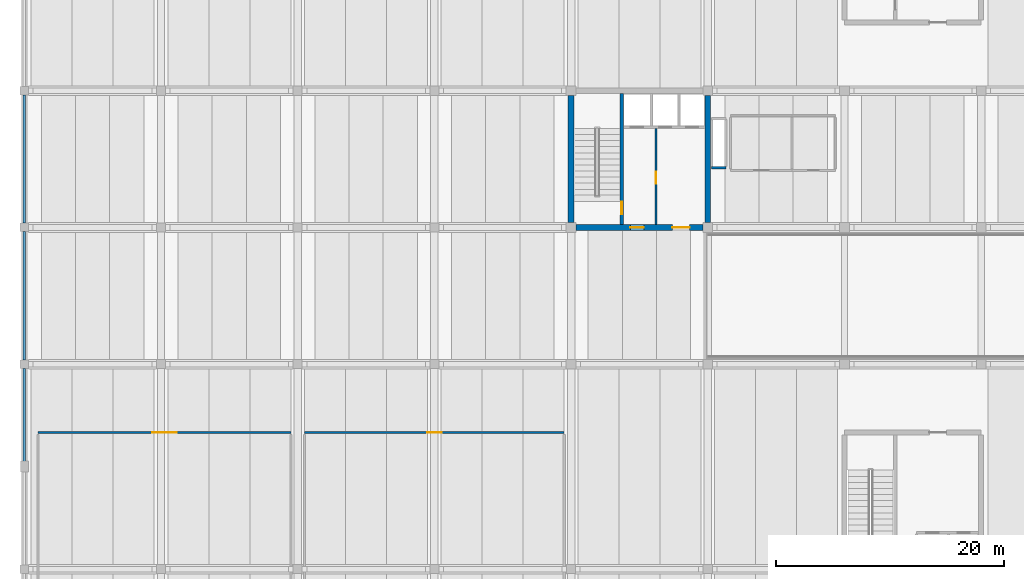
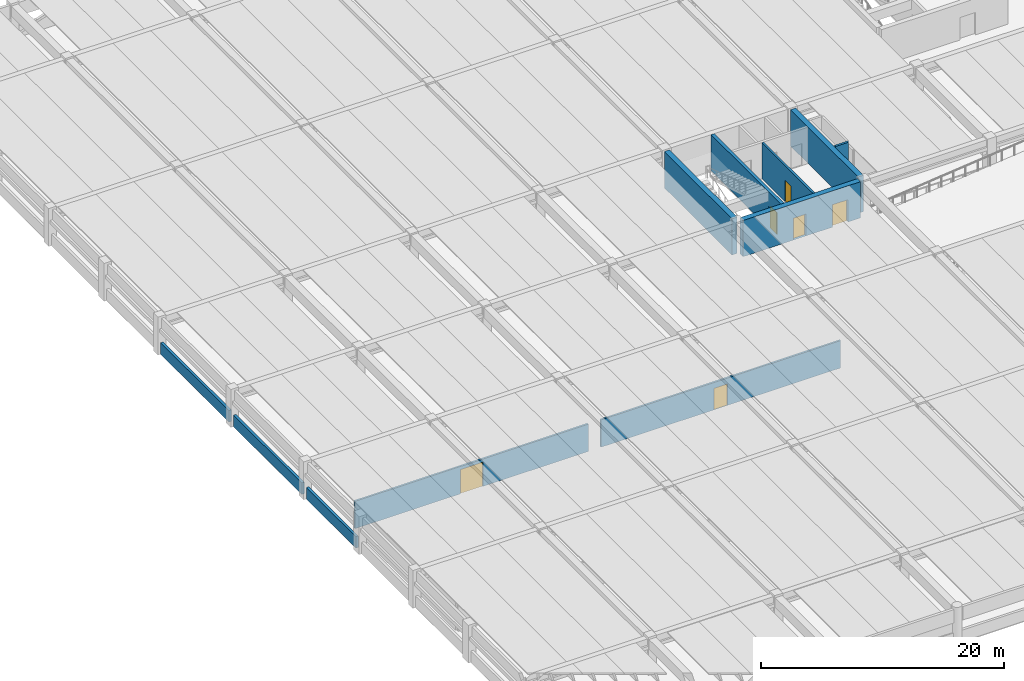
# One storey, part 8 of 21: 11 walls, 6 doors, 6 openings.
"""IFC4 building model written with IfcOpenShell, lengths in metres."""

from ifc_helpers import new_model, si_unit, direction, frame, frame_2d, origin, place, context, subcontext, project, spatial, rectangle, extrude, material, layer, layer_set, type_object, element, fill, save


model = new_model("IFC4")

# Units and contexts
model_context = context("Model", 3, precision=1e-05, world=origin(), true_north=direction((0.0, 1.0)))
body_context = subcontext(model_context, "Body", "Model", "MODEL_VIEW")
ifc_project = project(units=[si_unit("LENGTHUNIT", "METRE"), si_unit("AREAUNIT", "SQUARE_METRE"), si_unit("VOLUMEUNIT", "CUBIC_METRE"), si_unit("PLANEANGLEUNIT", "RADIAN"), si_unit("MASSUNIT", "GRAM", prefix="KILO")], contexts=[model_context])

# Site, building, storey
site_placement = place(None, origin())
site = spatial("IfcSite", under=ifc_project, at=site_placement, CompositionType="ELEMENT")
building_placement = place(site_placement, origin())
building = spatial("IfcBuilding", under=site, at=building_placement, Name="Girod Span Mobility Hub", CompositionType="ELEMENT")
storey_placement = place(building_placement, frame((0.0, 0.0, 17.199951171875)))
storey = spatial("IfcBuildingStorey", under=building, at=storey_placement, Name="L04", CompositionType="ELEMENT", Elevation=17.199951171875)

# Wall, openings, doors
ifc_material_1 = material(Name="Concrete C40/50", Category="concrete")
ifc_layer_1 = layer(ifc_material_1, 0.5)
ifc_layer_set_1 = layer_set([ifc_layer_1], Name="Concrete C40/50")
wall_type_1 = type_object("IfcWallType", Name="W-CW-500", PredefinedType="SHEAR", material=ifc_layer_set_1)
wall_1_placement = place(storey_placement, frame((48.422119140625, 57.0, 0.0), z_axis=(0.0, 0.0, 1.0), x_axis=(1.0, 0.0, 0.0)))
wall_1 = element("IfcWall", 1, at=wall_1_placement, inside=storey, type_object=wall_type_1, Name="Core C1 Shear Wall S L04", PredefinedType="SHEAR", context=body_context, shape_type="SweptSolid", body=[
    extrude(rectangle(XDim=11.15576171875, YDim=0.5, at=frame_2d((5.577880859375, 0.0))), origin(), (0.0, 0.0, 1.0), 3.64306640625),
])
opening_1_placement = place(wall_1_placement, frame((4.778076171875, 0.0, 0.0)))
opening_1 = element("IfcOpeningElement", 2, at=opening_1_placement, cuts=wall_1, Name="Opening D-FL-C1-L04", PredefinedType="OPENING", context=body_context, shape_type="SweptSolid", body=[
    extrude(rectangle(XDim=1.199951171875, YDim=2.199951171875, at=frame_2d((0.60009765625, 1.10009765625))), frame((0.0, 0.264892578125, 0.0), z_axis=(0.0, -1.0, 0.0), x_axis=(1.0, 0.0, 0.0)), (0.0, 0.0, 1.0), 0.530029296875),
])
opening_2_placement = place(wall_1_placement, frame((8.47802734375, 0.0, 0.0)))
opening_2 = element("IfcOpeningElement", 3, at=opening_2_placement, cuts=wall_1, Name="Opening D-LB-C1-L04", PredefinedType="OPENING", context=body_context, shape_type="SweptSolid", body=[
    extrude(rectangle(XDim=1.5, YDim=2.25, at=frame_2d((0.75, 1.125))), frame((0.0, 0.264892578125, 0.0), z_axis=(0.0, -1.0, 0.0), x_axis=(1.0, 0.0, 0.0)), (0.0, 0.0, 1.0), 0.530029296875),
])
ifc_material_2 = material(Name="Fire-Rated Insulated Hollow Metal Steel", Category="steel")
door_type_1 = type_object("IfcDoorType", Name="DT-FD-03", OperationType="DOUBLE_DOOR_SINGLE_SWING", PredefinedType="DOOR", material=ifc_material_2)
door_1_placement = place(opening_2_placement, origin())
door_1 = element("IfcDoor", 4, at=door_1_placement, inside=storey, type_object=door_type_1, Name="Lift Lobby Entry Door C1 L04", OperationType="DOUBLE_DOOR_SINGLE_SWING", OverallHeight=2.25, OverallWidth=1.5, PredefinedType="DOOR", context=body_context, shape_type="SweptSolid", body=[
    extrude(rectangle(XDim=1.5, YDim=2.25, at=frame_2d((0.75, 1.125))), frame((0.0, 0.02490234375, 0.0), z_axis=(0.0, -1.0, 0.0), x_axis=(1.0, 0.0, 0.0)), (0.0, 0.0, 1.0), 0.050048828125),
])
fill(opening_2, door_1)
ifc_material_3 = material(Name="Fire-Rated Insulated Hollow Metal Steel", Category="steel")
door_type_2 = type_object("IfcDoorType", Name="DT-FD-05", OperationType="NOTDEFINED", PredefinedType="DOOR", material=ifc_material_3)
door_2_placement = place(opening_1_placement, origin())
door_2 = element("IfcDoor", 5, at=door_2_placement, inside=storey, type_object=door_type_2, Name="Firefighting Lobby Entry Door C1 L04", OperationType="SINGLE_SWING_RIGHT", OverallHeight=2.199951171875, OverallWidth=1.199951171875, PredefinedType="DOOR", context=body_context, shape_type="SweptSolid", body=[
    extrude(rectangle(XDim=1.199951171875, YDim=2.199951171875, at=frame_2d((0.60009765625, 1.10009765625))), frame((0.0, 0.02490234375, 0.0), z_axis=(0.0, -1.0, 0.0), x_axis=(1.0, 0.0, 0.0)), (0.0, 0.0, 1.0), 0.050048828125),
])
fill(opening_1, door_2)

# Walls
for number, where, z_axis, x_axis, name in (
    (6, (48.0, 57.422119140625, 0.0), (0.0, 0.0, 1.0), (0.0, 1.0, 0.0), "Core C1 Shear Wall W L04"),
    (7, (60.0, 57.422119140625, 0.0), (0.0, 0.0, 1.0), (0.0, 1.0, 0.0), "Core C1 Shear Wall E L04"),
):
    element("IfcWall", number, at=place(storey_placement, frame(where, z_axis=z_axis, x_axis=x_axis)), inside=storey, type_object=wall_type_1, Name=name, PredefinedType="SHEAR", context=body_context, shape_type="SweptSolid", body=[
        extrude(rectangle(XDim=11.15576171875, YDim=0.5, at=frame_2d((5.577880859375, 0.0))), origin(), (0.0, 0.0, 1.0), 3.64306640625),
    ])

# Wall, opening, door
ifc_material_4 = material(Name="Concrete C40/50", Category="concrete")
ifc_layer_2 = layer(ifc_material_4, 0.18994140625)
ifc_layer_set_2 = layer_set([ifc_layer_2], Name="Concrete C40/50")
wall_type_2 = type_object("IfcWallType", Name="W-FL-190", PredefinedType="SOLIDWALL", material=ifc_layer_set_2)
wall_2_placement = place(storey_placement, frame((55.449951171875, 57.25, 0.0), z_axis=(0.0, 0.0, 1.0), x_axis=(0.0, 1.0, 0.0)))
wall_2 = element("IfcWall", 8, at=wall_2_placement, inside=storey, type_object=wall_type_2, Name="Core C1 Firefighting Lobby Wall L04", PredefinedType="SOLIDWALL", context=body_context, shape_type="SweptSolid", body=[
    extrude(rectangle(XDim=8.429931640625, YDim=0.18994140625, at=frame_2d((4.21484375, 0.0))), origin(), (0.0, 0.0, 1.0), 3.633056640625),
])
opening_3_placement = place(wall_2_placement, frame((3.60009765625, 0.0, 0.0)))
opening_3 = element("IfcOpeningElement", 9, at=opening_3_placement, cuts=wall_2, Name="Opening D-FLX-C1-L04", PredefinedType="OPENING", context=body_context, shape_type="SweptSolid", body=[
    extrude(rectangle(XDim=1.0400390625, YDim=2.179931640625, at=frame_2d((0.52001953125, 1.08984375))), frame((0.0, 0.10986328125, 0.0), z_axis=(0.0, -1.0, 0.0), x_axis=(1.0, 0.0, 0.0)), (0.0, 0.0, 1.0), 0.219970703125),
])
ifc_material_5 = material(Name="Fire-Rated Insulated Hollow Metal Steel", Category="steel")
door_type_3 = type_object("IfcDoorType", Name="DT-FD-02", OperationType="NOTDEFINED", PredefinedType="DOOR", material=ifc_material_5)
door_3_placement = place(opening_3_placement, origin())
door_3 = element("IfcDoor", 10, at=door_3_placement, inside=storey, type_object=door_type_3, Name="Firefighting Lobby Interconnect Door C1 L04", OperationType="SINGLE_SWING_RIGHT", OverallHeight=2.179931640625, OverallWidth=1.0400390625, PredefinedType="DOOR", context=body_context, shape_type="SweptSolid", body=[
    extrude(rectangle(XDim=1.0400390625, YDim=2.179931640625, at=frame_2d((0.52001953125, 1.08984375))), frame((0.0, 0.02490234375, 0.0), z_axis=(0.0, -1.0, 0.0), x_axis=(1.0, 0.0, 0.0)), (0.0, 0.0, 1.0), 0.050048828125),
])
fill(opening_3, door_3)

ifc_material_6 = material(Name="Reinforced Concrete Masonry Block", Category="masonry")
ifc_layer_3 = layer(ifc_material_6, 0.179931640625)
ifc_layer_set_3 = layer_set([ifc_layer_3], Name="Reinforced Concrete Masonry Block")
wall_type_3 = type_object("IfcWallType", Name="W-FP-180", PredefinedType="SOLIDWALL", material=ifc_layer_set_3)
wall_3_placement = place(storey_placement, frame((1.199951171875, 39.0, 0.0), z_axis=(0.0, 0.0, 1.0), x_axis=(1.0, 0.0, 0.0)))
wall_3 = element("IfcWall", 11, at=wall_3_placement, inside=storey, type_object=wall_type_3, Name="Substation Room West Partition N", PredefinedType="SOLIDWALL", context=body_context, shape_type="SweptSolid", body=[
    extrude(rectangle(XDim=22.199951171875, YDim=0.179931640625, at=frame_2d((11.10009765625, 0.0))), origin(), (0.0, 0.0, 1.0), 2.75),
])
opening_4_placement = place(wall_3_placement, frame((10.030029296875, 0.0, 0.0)))
opening_4 = element("IfcOpeningElement", 12, at=opening_4_placement, cuts=wall_3, Name="Opening D-L04-SUB-W", PredefinedType="OPENING", context=body_context, shape_type="SweptSolid", body=[
    extrude(rectangle(XDim=2.139892578125, YDim=2.43994140625, at=frame_2d((1.06982421875, 1.219970703125))), frame((0.0, 0.10498046875, 0.0), z_axis=(0.0, -1.0, 0.0), x_axis=(1.0, 0.0, 0.0)), (0.0, 0.0, 1.0), 0.2099609375),
])
ifc_material_7 = material(Name="Fire-Rated Insulated Hollow Metal Steel", Category="steel")
door_type_4 = type_object("IfcDoorType", Name="DT-FD-12", OperationType="DOUBLE_DOOR_SINGLE_SWING", PredefinedType="DOOR", material=ifc_material_7)
door_4_placement = place(opening_4_placement, origin())
door_4 = element("IfcDoor", 13, at=door_4_placement, inside=storey, type_object=door_type_4, Name="Substation Room West Door", OperationType="DOUBLE_DOOR_SINGLE_SWING", OverallHeight=2.43994140625, OverallWidth=2.139892578125, PredefinedType="DOOR", context=body_context, shape_type="SweptSolid", body=[
    extrude(rectangle(XDim=2.139892578125, YDim=2.43994140625, at=frame_2d((1.06982421875, 1.219970703125))), frame((0.0, 0.02490234375, 0.0), z_axis=(0.0, -1.0, 0.0), x_axis=(1.0, 0.0, 0.0)), (0.0, 0.0, 1.0), 0.050048828125),
])
fill(opening_4, door_4)

wall_4_placement = place(storey_placement, frame((24.60009765625, 39.0, 0.0), z_axis=(0.0, 0.0, 1.0), x_axis=(1.0, 0.0, 0.0)))
wall_4 = element("IfcWall", 14, at=wall_4_placement, inside=storey, type_object=wall_type_3, Name="Switchgear Room Partition N", PredefinedType="SOLIDWALL", context=body_context, shape_type="SweptSolid", body=[
    extrude(rectangle(XDim=22.7998046875, YDim=0.179931640625, at=frame_2d((11.39990234375, 0.0))), origin(), (0.0, 0.0, 1.0), 2.75),
])
opening_5_placement = place(wall_4_placement, frame((10.77001953125, 0.0, 0.0)))
opening_5 = element("IfcOpeningElement", 15, at=opening_5_placement, cuts=wall_4, Name="Opening D-L04-SWG-W", PredefinedType="OPENING", context=body_context, shape_type="SweptSolid", body=[
    extrude(rectangle(XDim=1.260009765625, YDim=2.159912109375, at=frame_2d((0.6298828125, 1.080078125))), frame((0.0, 0.10498046875, 0.0), z_axis=(0.0, -1.0, 0.0), x_axis=(1.0, 0.0, 0.0)), (0.0, 0.0, 1.0), 0.2099609375),
])
ifc_material_8 = material(Name="Fire-Rated Insulated Hollow Metal Steel", Category="steel")
door_type_5 = type_object("IfcDoorType", Name="DT-FD-13", OperationType="NOTDEFINED", PredefinedType="DOOR", material=ifc_material_8)
door_5_placement = place(opening_5_placement, origin())
door_5 = element("IfcDoor", 16, at=door_5_placement, inside=storey, type_object=door_type_5, Name="Switchgear Room Door", OperationType="SINGLE_SWING_RIGHT", OverallHeight=2.159912109375, OverallWidth=1.260009765625, PredefinedType="DOOR", context=body_context, shape_type="SweptSolid", body=[
    extrude(rectangle(XDim=1.260009765625, YDim=2.159912109375, at=frame_2d((0.6298828125, 1.080078125))), frame((0.0, 0.02490234375, 0.0), z_axis=(0.0, -1.0, 0.0), x_axis=(1.0, 0.0, 0.0)), (0.0, 0.0, 1.0), 0.050048828125),
])
fill(opening_5, door_5)

# Walls
ifc_material_9 = material(Name="Precast Architectural Concrete C40/50", Category="concrete")
ifc_layer_4 = layer(ifc_material_9, 0.239990234375)
ifc_layer_set_4 = layer_set([ifc_layer_4], Name="Precast Architectural Concrete C40/50")
wall_type_4 = type_object("IfcWallType", Name="W-PAR-240", PredefinedType="PARAPET", material=ifc_layer_set_4)
wall_5_placement = place(storey_placement, frame((0.0, 36.472900390625, 0.0), z_axis=(0.0, 0.0, 1.0), x_axis=(0.0, 1.0, 0.0)))
element("IfcWall", 17, at=wall_5_placement, inside=storey, type_object=wall_type_4, Name="Precast Side Barrier Parapet W-C-2 L04", PredefinedType="PARAPET", context=body_context, shape_type="SweptSolid", body=[
    extrude(rectangle(XDim=8.154052734375, YDim=0.239990234375, at=frame_2d((4.0771484375, 0.0))), origin(), (0.0, 0.0, 1.0), 1.150146484375),
])
for number, where, z_axis, x_axis, name in (
    (18, (0.0, 45.373046875, 0.0), (0.0, 0.0, 1.0), (0.0, 1.0, 0.0), "Precast Side Barrier Parapet W-D-1 L04"),
    (19, (0.0, 57.373046875, 0.0), (0.0, 0.0, 1.0), (0.0, 1.0, 0.0), "Precast Side Barrier Parapet W-E-1 L04"),
):
    element("IfcWall", number, at=place(storey_placement, frame(where, z_axis=z_axis, x_axis=x_axis)), inside=storey, type_object=wall_type_4, Name=name, PredefinedType="PARAPET", context=body_context, shape_type="SweptSolid", body=[
        extrude(rectangle(XDim=11.25390625, YDim=0.239990234375, at=frame_2d((5.626953125, 0.0))), origin(), (0.0, 0.0, 1.0), 1.150146484375),
    ])
ifc_material_10 = material(Name="Concrete C40/50", Category="concrete")
ifc_layer_5 = layer(ifc_material_10, 0.199951171875)
ifc_layer_set_5 = layer_set([ifc_layer_5], Name="Concrete C40/50")
wall_type_5 = type_object("IfcWallType", Name="W-SH-200", PredefinedType="SOLIDWALL", material=ifc_layer_set_5)
wall_6_placement = place(storey_placement, frame((60.346923828125, 62.25, 0.0), z_axis=(0.0, 0.0, 1.0), x_axis=(1.0, 0.0, 0.0)))
element("IfcWall", 20, at=wall_6_placement, inside=storey, type_object=wall_type_5, Name="Sanitary Wet Riser Shaft Wall S L04", PredefinedType="SOLIDWALL", context=body_context, shape_type="SweptSolid", body=[
    extrude(rectangle(XDim=1.233154296875, YDim=0.199951171875, at=frame_2d((0.61669921875, 0.0))), origin(), (0.0, 0.0, 1.0), 3.64306640625),
])

# Wall, opening, door
ifc_material_11 = material(Name="Concrete C40/50", Category="concrete")
ifc_layer_6 = layer(ifc_material_11, 0.300048828125)
ifc_layer_set_6 = layer_set([ifc_layer_6], Name="Concrete C40/50")
wall_type_6 = type_object("IfcWallType", Name="W-SH-300", PredefinedType="SHEAR", material=ifc_layer_set_6)
wall_7_placement = place(storey_placement, frame((52.449951171875, 57.2470703125, 0.0), z_axis=(0.0, 0.0, 1.0), x_axis=(0.0, 1.0, 0.0)))
wall_7 = element("IfcWall", 21, at=wall_7_placement, inside=storey, type_object=wall_type_6, Name="Core C1 Stairwell Spine Wall L04", PredefinedType="SHEAR", context=body_context, shape_type="SweptSolid", body=[
    extrude(rectangle(XDim=11.505859375, YDim=0.300048828125, at=frame_2d((5.7529296875, 0.0))), origin(), (0.0, 0.0, 1.0), 3.64306640625),
])
opening_6_placement = place(wall_7_placement, frame((0.89990234375, 0.0, 0.0)))
opening_6 = element("IfcOpeningElement", 22, at=opening_6_placement, cuts=wall_7, Name="Opening D-ST-1-L04", PredefinedType="OPENING", context=body_context, shape_type="SweptSolid", body=[
    extrude(rectangle(XDim=1.10009765625, YDim=2.199951171875, at=frame_2d((0.550048828125, 1.10009765625))), frame((0.0, 0.1650390625, 0.0), z_axis=(0.0, -1.0, 0.0), x_axis=(1.0, 0.0, 0.0)), (0.0, 0.0, 1.0), 0.330078125),
])
ifc_material_12 = material(Name="Fire-Rated Insulated Hollow Metal Steel", Category="steel")
door_type_6 = type_object("IfcDoorType", Name="DT-FD-01", OperationType="NOTDEFINED", PredefinedType="DOOR", material=ifc_material_12)
door_6_placement = place(opening_6_placement, origin())
door_6 = element("IfcDoor", 23, at=door_6_placement, inside=storey, type_object=door_type_6, Name="Stair ST-1 Fire Door L04", OperationType="SINGLE_SWING_LEFT", OverallHeight=2.199951171875, OverallWidth=1.10009765625, PredefinedType="DOOR", context=body_context, shape_type="SweptSolid", body=[
    extrude(rectangle(XDim=1.10009765625, YDim=2.199951171875, at=frame_2d((0.550048828125, 1.10009765625))), frame((0.0, 0.02490234375, 0.0), z_axis=(0.0, -1.0, 0.0), x_axis=(1.0, 0.0, 0.0)), (0.0, 0.0, 1.0), 0.050048828125),
])
fill(opening_6, door_6)

save(model, "model.ifc")
